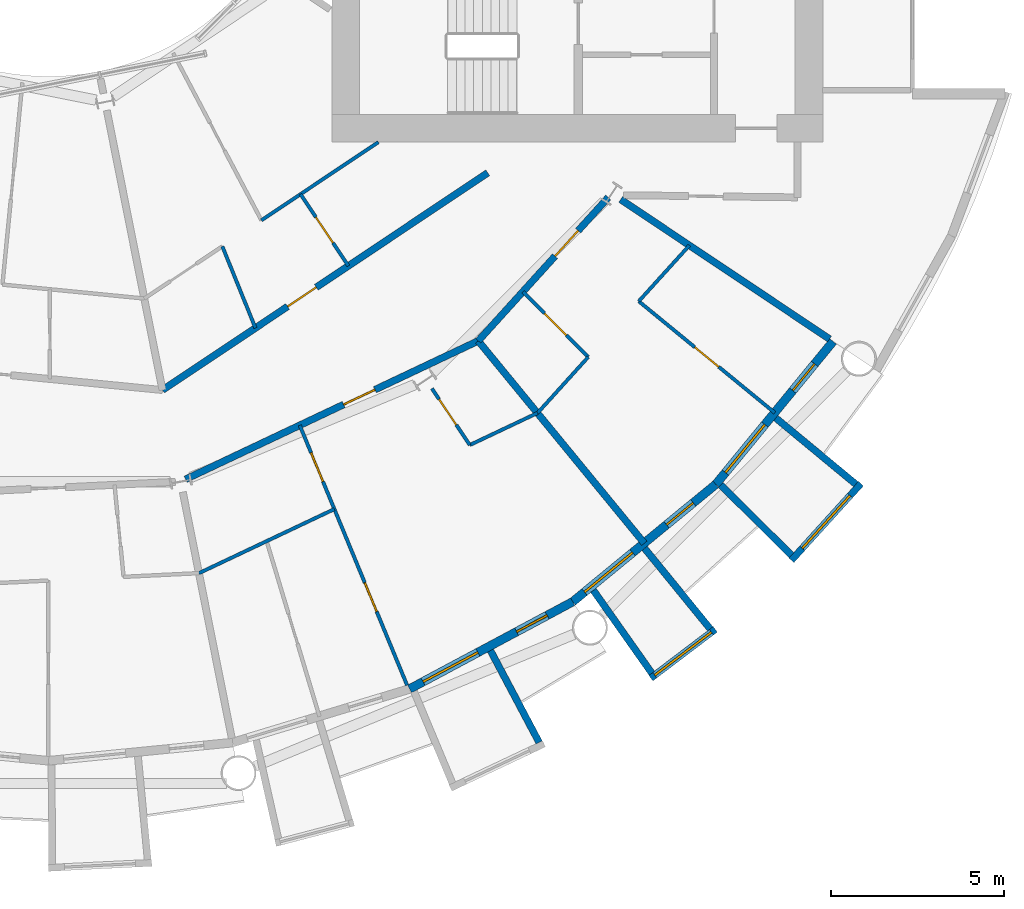
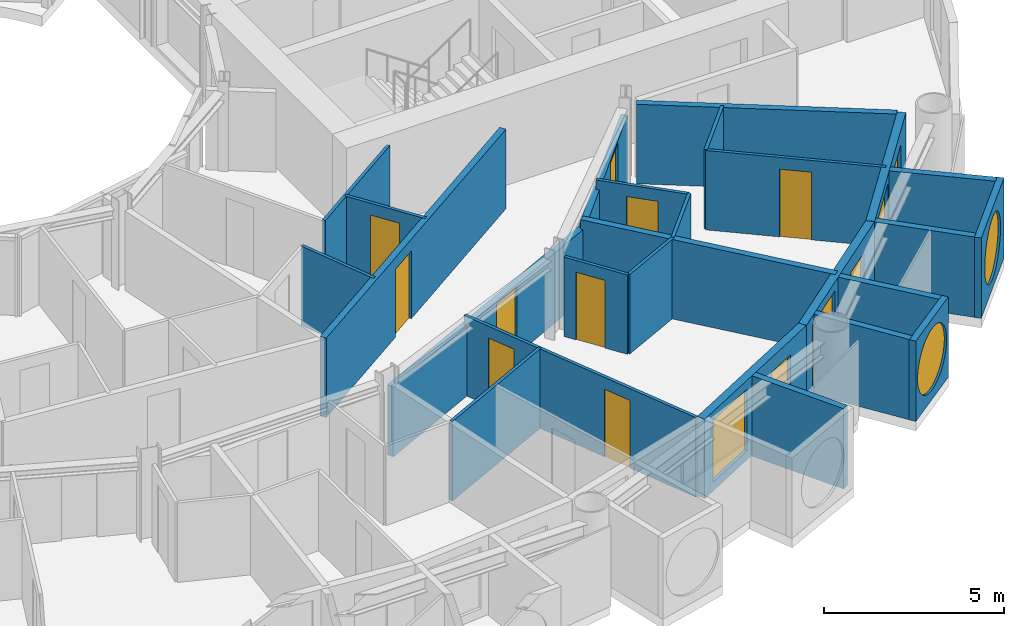
# One storey, part 16 of 26: 26 walls, 12 doors, 5 windows, 17 openings.
"""IFC4 building model written with IfcOpenShell, lengths in metres."""

from ifc_helpers import new_model, si_unit, direction, frame, frame_2d, origin, place, context, subcontext, project, spatial, rectangle, circle, extrude, material, layer, layer_set, type_object, element, fill, save


model = new_model("IFC4")

# Units and contexts
model_context = context("Model", 3, precision=1e-05, world=origin(), true_north=direction((0.0, 1.0)))
body_context = subcontext(model_context, "Body", "Model", "MODEL_VIEW")
ifc_project = project(units=[si_unit("LENGTHUNIT", "METRE"), si_unit("AREAUNIT", "SQUARE_METRE"), si_unit("VOLUMEUNIT", "CUBIC_METRE"), si_unit("PLANEANGLEUNIT", "RADIAN"), si_unit("MASSUNIT", "GRAM", prefix="KILO")], contexts=[model_context])

# Site, building, storey
site_placement = place(None, origin())
site = spatial("IfcSite", under=ifc_project, at=site_placement, CompositionType="ELEMENT")
building_placement = place(site_placement, origin())
building = spatial("IfcBuilding", under=site, at=building_placement, Name="Maasbend Ring Residences", CompositionType="ELEMENT")
storey_placement = place(building_placement, frame((0.0, 0.0, 22.800048828125)))
storey = spatial("IfcBuildingStorey", under=building, at=storey_placement, Name="L05", CompositionType="ELEMENT", Elevation=22.800048828125)

# Wall, opening, door
ifc_material_1 = material(Name="Concrete C30/37", Category="concrete")
ifc_layer_1 = layer(ifc_material_1, 0.199951171875)
ifc_layer_set_1 = layer_set([ifc_layer_1], Name="Concrete C30/37")
wall_type_1 = type_object("IfcWallType", Name="CORRIDOR WALL 200 CONCRETE", PredefinedType="PARTITIONING", material=ifc_layer_set_1)
wall_1_placement = place(storey_placement, frame((12.43408203125, -15.15087890625, 0.0), z_axis=(0.0, 0.0, 1.0), x_axis=(0.671514934772, 0.740991020444, 0.0)))
wall_1 = element("IfcWall", 1, at=wall_1_placement, inside=storey, type_object=wall_type_1, Name="U-L05-w014", PredefinedType="PARTITIONING", context=body_context, shape_type="SweptSolid", body=[
    extrude(rectangle(XDim=5.597900390625, YDim=0.199951171875, at=frame_2d((2.798828125, 0.0))), origin(), (0.0, 0.0, 1.0), 2.3798828125),
])
opening_1_placement = place(wall_1_placement, frame((3.304931640625, 0.0, 0.0)))
opening_1 = element("IfcOpeningElement", 2, at=opening_1_placement, cuts=wall_1, Name="Opening D-0550", PredefinedType="OPENING", context=body_context, shape_type="SweptSolid", body=[
    extrude(rectangle(XDim=1.0, YDim=2.300048828125, at=frame_2d((0.5, 1.14990234375))), frame((0.0, 0.10986328125, 0.0), z_axis=(0.0, -1.0, 0.0), x_axis=(1.0, 0.0, 0.0)), (0.0, 0.0, 1.0), 0.219970703125),
])
ifc_material_2 = material(Name="Timber, fire-rated, painted", Category="wood")
door_type_1 = type_object("IfcDoorType", Name="FLAT ENTRANCE DOOR 1000 X 2300 FIRE-RATED", OperationType="NOTDEFINED", PredefinedType="DOOR", material=ifc_material_2)
door_1_placement = place(opening_1_placement, origin())
door_1 = element("IfcDoor", 3, at=door_1_placement, inside=storey, type_object=door_type_1, Name="D-0550", OperationType="SINGLE_SWING_RIGHT", OverallHeight=2.300048828125, OverallWidth=1.0, PredefinedType="DOOR", context=body_context, shape_type="SweptSolid", body=[
    extrude(rectangle(XDim=1.0, YDim=2.300048828125, at=frame_2d((0.5, 1.14990234375))), frame((0.0, 0.02490234375, 0.0), z_axis=(0.0, -1.0, 0.0), x_axis=(1.0, 0.0, 0.0)), (0.0, 0.0, 1.0), 0.050048828125),
])
fill(opening_1, door_1)

wall_2_placement = place(storey_placement, frame((3.966064453125, -19.156005859375, 0.0), z_axis=(0.0, 0.0, 1.0), x_axis=(0.90398275529, 0.427568916244, 0.0)))
wall_2 = element("IfcWall", 4, at=wall_2_placement, inside=storey, type_object=wall_type_1, Name="U-L05-w017", PredefinedType="PARTITIONING", context=body_context, shape_type="SweptSolid", body=[
    extrude(rectangle(XDim=9.371826171875, YDim=0.199951171875, at=frame_2d((4.68603515625, 0.0))), origin(), (0.0, 0.0, 1.0), 2.3798828125),
])
opening_2_placement = place(wall_2_placement, frame((5.05810546875, 0.0, 0.0)))
opening_2 = element("IfcOpeningElement", 5, at=opening_2_placement, cuts=wall_2, Name="Opening D-0545", PredefinedType="OPENING", context=body_context, shape_type="SweptSolid", body=[
    extrude(rectangle(XDim=1.0, YDim=2.300048828125, at=frame_2d((0.5, 1.14990234375))), frame((0.0, 0.10986328125, 0.0), z_axis=(0.0, -1.0, 0.0), x_axis=(1.0, 0.0, 0.0)), (0.0, 0.0, 1.0), 0.219970703125),
])
door_2_placement = place(opening_2_placement, origin())
door_2 = element("IfcDoor", 6, at=door_2_placement, inside=storey, type_object=door_type_1, Name="D-0545", OperationType="SINGLE_SWING_RIGHT", OverallHeight=2.300048828125, OverallWidth=1.0, PredefinedType="DOOR", context=body_context, shape_type="SweptSolid", body=[
    extrude(rectangle(XDim=1.0, YDim=2.300048828125, at=frame_2d((0.5, 1.14990234375))), frame((0.0, 0.02490234375, 0.0), z_axis=(0.0, -1.0, 0.0), x_axis=(1.0, 0.0, 0.0)), (0.0, 0.0, 1.0), 0.050048828125),
])
fill(opening_2, door_2)

wall_3_placement = place(storey_placement, frame((3.297119140625, -16.574951171875, 0.0), z_axis=(0.0, 0.0, 1.0), x_axis=(0.83154870872, 0.55545183862, 0.0)))
wall_3 = element("IfcWall", 7, at=wall_3_placement, inside=storey, type_object=wall_type_1, Name="U-L05-w020", PredefinedType="PARTITIONING", context=body_context, shape_type="SweptSolid", body=[
    extrude(rectangle(XDim=11.31494140625, YDim=0.199951171875, at=frame_2d((5.657470703125, 0.0))), origin(), (0.0, 0.0, 1.0), 2.699951171875),
])
opening_3_placement = place(wall_3_placement, frame((4.35205078125, 0.0, 0.0)))
opening_3 = element("IfcOpeningElement", 8, at=opening_3_placement, cuts=wall_3, Name="Opening D-0561", PredefinedType="OPENING", context=body_context, shape_type="SweptSolid", body=[
    extrude(rectangle(XDim=1.0, YDim=2.300048828125, at=frame_2d((0.5, 1.14990234375))), frame((0.0, 0.10986328125, 0.0), z_axis=(0.0, -1.0, 0.0), x_axis=(1.0, 0.0, 0.0)), (0.0, 0.0, 1.0), 0.219970703125),
])
door_3_placement = place(opening_3_placement, origin())
door_3 = element("IfcDoor", 9, at=door_3_placement, inside=storey, type_object=door_type_1, Name="D-0561", OperationType="SINGLE_SWING_LEFT", OverallHeight=2.300048828125, OverallWidth=1.0, PredefinedType="DOOR", context=body_context, shape_type="SweptSolid", body=[
    extrude(rectangle(XDim=1.0, YDim=2.300048828125, at=frame_2d((0.5, 1.14990234375))), frame((0.0, 0.02490234375, 0.0), z_axis=(0.0, -1.0, 0.0), x_axis=(1.0, 0.0, 0.0)), (0.0, 0.0, 1.0), 0.050048828125),
])
fill(opening_3, door_3)

# Wall
ifc_material_3 = material(Name="Pale anodised aluminium panel", Category="aluminium")
ifc_layer_2 = layer(ifc_material_3, 0.199951171875)
ifc_layer_set_2 = layer_set([ifc_layer_2], Name="EW-BOX")
wall_type_2 = type_object("IfcWallType", Name="EW-BOX", PredefinedType="SOLIDWALL", material=ifc_layer_set_2)
wall_4_placement = place(storey_placement, frame((12.787109375, -24.113037109375, -0.030029296875), z_axis=(0.0, 0.0, 1.0), x_axis=(0.468365282436, -0.883534924159, 0.0)))
element("IfcWall", 10, at=wall_4_placement, inside=storey, type_object=wall_type_2, Name="Box side wall S15 right", PredefinedType="SOLIDWALL", context=body_context, shape_type="SweptSolid", body=[
    extrude(rectangle(XDim=3.006103515625, YDim=0.199951171875, at=frame_2d((1.5029296875, 0.0))), origin(), (0.0, 0.0, 1.0), 2.72998046875),
])

# Wall, opening, window
wall_5_placement = place(storey_placement, frame((17.427001953125, -24.908935546875, -0.030029296875), z_axis=(0.0, 0.0, 1.0), x_axis=(0.796842165306, 0.60418752353, 0.0)))
wall_5 = element("IfcWall", 11, at=wall_5_placement, inside=storey, type_object=wall_type_2, Name="Box front S17", PredefinedType="SOLIDWALL", context=body_context, shape_type="SweptSolid", body=[
    extrude(rectangle(XDim=2.3369140625, YDim=0.199951171875, at=frame_2d((1.16845703125, 0.0))), origin(), (0.0, 0.0, 1.0), 2.72998046875),
])
opening_4_placement = place(wall_5_placement, frame((0.128173828125, 0.0, 0.330078125)))
opening_4 = element("IfcOpeningElement", 12, at=opening_4_placement, cuts=wall_5, Name="Opening W-RD", PredefinedType="OPENING", context=body_context, shape_type="SweptSolid", body=[
    extrude(circle(Radius=1.0400390625, at=frame_2d((1.0400390625, 1.0400390625))), frame((0.0, 0.10986328125, 0.0), z_axis=(0.0, -1.0, 0.0), x_axis=(1.0, 0.0, 0.0)), (0.0, 0.0, 1.0), 0.219970703125),
])
ifc_material_4 = material(Name="Aluminium and clear glass", Category="aluminium")
window_type_1 = type_object("IfcWindowType", Name="W-RD", PartitioningType="SINGLE_PANEL", PredefinedType="WINDOW", material=ifc_material_4)
window_1_placement = place(opening_4_placement, origin())
window_1 = element("IfcWindow", 13, at=window_1_placement, inside=storey, type_object=window_type_1, Name="Round window S17", OverallHeight=2.080078125, OverallWidth=2.080078125, PartitioningType="SINGLE_PANEL", PredefinedType="WINDOW", context=body_context, shape_type="SweptSolid", body=[
    extrude(circle(Radius=1.0400390625, at=frame_2d((1.0400390625, 1.0400390625))), frame((0.0, 0.030029296875, 0.0), z_axis=(0.0, -1.0, 0.0), x_axis=(1.0, 0.0, 0.0)), (0.0, 0.0, 1.0), 0.06005859375),
])
fill(opening_4, window_1)

# Walls
wall_6_placement = place(storey_placement, frame((15.764892578125, -22.3701171875, -0.030029296875), z_axis=(0.0, 0.0, 1.0), x_axis=(0.576274612209, -0.817256123454, 0.0)))
element("IfcWall", 14, at=wall_6_placement, inside=storey, type_object=wall_type_2, Name="Box side wall S17 left", PredefinedType="SOLIDWALL", context=body_context, shape_type="SweptSolid", body=[
    extrude(rectangle(XDim=2.932861328125, YDim=0.199951171875, at=frame_2d((1.46630859375, 0.0))), origin(), (0.0, 0.0, 1.0), 2.72998046875),
])
wall_7_placement = place(storey_placement, frame((17.24609375, -21.155029296875, -0.030029296875), z_axis=(0.0, 0.0, 1.0), x_axis=(0.631741648902, -0.775179004516, 0.0)))
element("IfcWall", 15, at=wall_7_placement, inside=storey, type_object=wall_type_2, Name="Box side wall S17 right", PredefinedType="SOLIDWALL", context=body_context, shape_type="SweptSolid", body=[
    extrude(rectangle(XDim=3.005859375, YDim=0.199951171875, at=frame_2d((1.5029296875, 0.0))), origin(), (0.0, 0.0, 1.0), 2.72998046875),
])

# Wall, opening, window
wall_8_placement = place(storey_placement, frame((21.492919921875, -21.5, -0.030029296875), z_axis=(0.0, 0.0, 1.0), x_axis=(0.671506829416, 0.740998365753, 0.0)))
wall_8 = element("IfcWall", 16, at=wall_8_placement, inside=storey, type_object=wall_type_2, Name="Box front S19", PredefinedType="SOLIDWALL", context=body_context, shape_type="SweptSolid", body=[
    extrude(rectangle(XDim=2.9931640625, YDim=0.199951171875, at=frame_2d((1.49658203125, 0.0))), origin(), (0.0, 0.0, 1.0), 2.72998046875),
])
opening_5_placement = place(wall_8_placement, frame((0.45654296875, 0.0, 0.330078125)))
opening_5 = element("IfcOpeningElement", 17, at=opening_5_placement, cuts=wall_8, Name="Opening W-RD", PredefinedType="OPENING", context=body_context, shape_type="SweptSolid", body=[
    extrude(circle(Radius=1.0400390625, at=frame_2d((1.0400390625, 1.0400390625))), frame((0.0, 0.10986328125, 0.0), z_axis=(0.0, -1.0, 0.0), x_axis=(1.0, 0.0, 0.0)), (0.0, 0.0, 1.0), 0.219970703125),
])
window_2_placement = place(opening_5_placement, origin())
window_2 = element("IfcWindow", 18, at=window_2_placement, inside=storey, type_object=window_type_1, Name="Round window S19", OverallHeight=2.080078125, OverallWidth=2.080078125, PartitioningType="SINGLE_PANEL", PredefinedType="WINDOW", context=body_context, shape_type="SweptSolid", body=[
    extrude(circle(Radius=1.0400390625, at=frame_2d((1.0400390625, 1.0400390625))), frame((0.0, 0.030029296875, 0.0), z_axis=(0.0, -1.0, 0.0), x_axis=(1.0, 0.0, 0.0)), (0.0, 0.0, 1.0), 0.06005859375),
])
fill(opening_5, window_2)

# Walls
wall_9_placement = place(storey_placement, frame((19.449951171875, -19.322998046875, -0.030029296875), z_axis=(0.0, 0.0, 1.0), x_axis=(0.709727076896, -0.704476739375, 0.0)))
element("IfcWall", 19, at=wall_9_placement, inside=storey, type_object=wall_type_2, Name="Box side wall S19 left", PredefinedType="SOLIDWALL", context=body_context, shape_type="SweptSolid", body=[
    extrude(rectangle(XDim=2.883056640625, YDim=0.199951171875, at=frame_2d((1.44140625, 0.0))), origin(), (0.0, 0.0, 1.0), 2.72998046875),
])
wall_10_placement = place(storey_placement, frame((21.041015625, -17.384033203125, -0.030029296875), z_axis=(0.0, 0.0, 1.0), x_axis=(0.770784861449, -0.63709551667, 0.0)))
element("IfcWall", 20, at=wall_10_placement, inside=storey, type_object=wall_type_2, Name="Box side wall S19 right", PredefinedType="SOLIDWALL", context=body_context, shape_type="SweptSolid", body=[
    extrude(rectangle(XDim=3.005859375, YDim=0.199951171875, at=frame_2d((1.5029296875, 0.0))), origin(), (0.0, 0.0, 1.0), 2.72998046875),
])

# Wall, openings, door, window
ifc_material_5 = material(Name="Aluminium clad insulated panel", Category="aluminium")
ifc_layer_3 = layer(ifc_material_5, 0.25)
ifc_layer_set_3 = layer_set([ifc_layer_3], Name="EW-GL")
wall_type_3 = type_object("IfcWallType", Name="EW-GL", PredefinedType="SOLIDWALL", material=ifc_layer_set_3)
wall_11_placement = place(storey_placement, frame((10.447021484375, -25.221923828125, 0.0), z_axis=(0.0, 0.0, 1.0), x_axis=(0.881915646801, 0.471407246368, 0.0)))
wall_11 = element("IfcWall", 21, at=wall_11_placement, inside=storey, type_object=wall_type_3, Name="External wall S08", PredefinedType="SOLIDWALL", context=body_context, shape_type="SweptSolid", body=[
    extrude(rectangle(XDim=5.35205078125, YDim=0.25, at=frame_2d((2.676025390625, 0.0))), origin(), (0.0, 0.0, 1.0), 2.699951171875),
])
opening_6_placement = place(wall_11_placement, frame((0.441162109375, 0.0, 0.300048828125)))
opening_6 = element("IfcOpeningElement", 22, at=opening_6_placement, cuts=wall_11, Name="Opening W-BX", PredefinedType="OPENING", context=body_context, shape_type="SweptSolid", body=[
    extrude(rectangle(XDim=1.800048828125, YDim=2.10009765625, at=frame_2d((0.89990234375, 1.050048828125))), frame((0.0, 0.135009765625, 0.0), z_axis=(0.0, -1.0, 0.0), x_axis=(1.0, 0.0, 0.0)), (0.0, 0.0, 1.0), 0.27001953125),
])
opening_7_placement = place(wall_11_placement, frame((3.510498046875, 0.0, 0.0)))
opening_7 = element("IfcOpeningElement", 23, at=opening_7_placement, cuts=wall_11, Name="Opening D-LG", PredefinedType="OPENING", context=body_context, shape_type="SweptSolid", body=[
    extrude(rectangle(XDim=1.0, YDim=2.199951171875, at=frame_2d((0.5, 1.10009765625))), frame((0.0, 0.135009765625, 0.0), z_axis=(0.0, -1.0, 0.0), x_axis=(1.0, 0.0, 0.0)), (0.0, 0.0, 1.0), 0.27001953125),
])
ifc_material_6 = material(Name="Aluminium and clear glass", Category="aluminium")
door_type_2 = type_object("IfcDoorType", Name="D-LG", OperationType="SINGLE_SWING_LEFT", PredefinedType="DOOR", material=ifc_material_6)
door_4_placement = place(opening_7_placement, origin())
door_4 = element("IfcDoor", 24, at=door_4_placement, inside=storey, type_object=door_type_2, Name="Loggia door S16", OperationType="SINGLE_SWING_LEFT", OverallHeight=2.199951171875, OverallWidth=1.0, PredefinedType="DOOR", context=body_context, shape_type="SweptSolid", body=[
    extrude(rectangle(XDim=1.0, YDim=2.199951171875, at=frame_2d((0.5, 1.10009765625))), frame((0.0, 0.02490234375, 0.0), z_axis=(0.0, -1.0, 0.0), x_axis=(1.0, 0.0, 0.0)), (0.0, 0.0, 1.0), 0.050048828125),
])
fill(opening_7, door_4)
ifc_material_7 = material(Name="Aluminium and clear glass", Category="aluminium")
window_type_2 = type_object("IfcWindowType", Name="W-BX", PartitioningType="DOUBLE_PANEL_VERTICAL", PredefinedType="WINDOW", material=ifc_material_7)
window_3_placement = place(opening_6_placement, origin())
window_3 = element("IfcWindow", 25, at=window_3_placement, inside=storey, type_object=window_type_2, Name="Window S15 room to box", OverallHeight=2.10009765625, OverallWidth=1.800048828125, PartitioningType="SINGLE_PANEL", PredefinedType="WINDOW", context=body_context, shape_type="SweptSolid", body=[
    extrude(rectangle(XDim=1.800048828125, YDim=2.10009765625, at=frame_2d((0.89990234375, 1.050048828125))), frame((0.0, 0.030029296875, 0.0), z_axis=(0.0, -1.0, 0.0), x_axis=(1.0, 0.0, 0.0)), (0.0, 0.0, 1.0), 0.06005859375),
])
fill(opening_6, window_3)

wall_12_placement = place(storey_placement, frame((15.1669921875, -22.698974609375, 0.0), z_axis=(0.0, 0.0, 1.0), x_axis=(0.773019449054, 0.634382322723, 0.0)))
wall_12 = element("IfcWall", 26, at=wall_12_placement, inside=storey, type_object=wall_type_3, Name="External wall S09", PredefinedType="SOLIDWALL", context=body_context, shape_type="SweptSolid", body=[
    extrude(rectangle(XDim=5.351806640625, YDim=0.25, at=frame_2d((2.67578125, 0.0))), origin(), (0.0, 0.0, 1.0), 2.699951171875),
])
opening_8_placement = place(wall_12_placement, frame((0.441162109375, 0.0, 0.300048828125)))
opening_8 = element("IfcOpeningElement", 27, at=opening_8_placement, cuts=wall_12, Name="Opening W-BX", PredefinedType="OPENING", context=body_context, shape_type="SweptSolid", body=[
    extrude(rectangle(XDim=1.800048828125, YDim=2.10009765625, at=frame_2d((0.89990234375, 1.050048828125))), frame((0.0, 0.135009765625, 0.0), z_axis=(0.0, -1.0, 0.0), x_axis=(1.0, 0.0, 0.0)), (0.0, 0.0, 1.0), 0.27001953125),
])
opening_9_placement = place(wall_12_placement, frame((3.510498046875, 0.0, 0.0)))
opening_9 = element("IfcOpeningElement", 28, at=opening_9_placement, cuts=wall_12, Name="Opening D-LG", PredefinedType="OPENING", context=body_context, shape_type="SweptSolid", body=[
    extrude(rectangle(XDim=1.0, YDim=2.199951171875, at=frame_2d((0.5, 1.10009765625))), frame((0.0, 0.135009765625, 0.0), z_axis=(0.0, -1.0, 0.0), x_axis=(1.0, 0.0, 0.0)), (0.0, 0.0, 1.0), 0.27001953125),
])
door_5_placement = place(opening_9_placement, origin())
door_5 = element("IfcDoor", 29, at=door_5_placement, inside=storey, type_object=door_type_2, Name="Loggia door S18", OperationType="SINGLE_SWING_LEFT", OverallHeight=2.199951171875, OverallWidth=1.0, PredefinedType="DOOR", context=body_context, shape_type="SweptSolid", body=[
    extrude(rectangle(XDim=1.0, YDim=2.199951171875, at=frame_2d((0.5, 1.10009765625))), frame((0.0, 0.02490234375, 0.0), z_axis=(0.0, -1.0, 0.0), x_axis=(1.0, 0.0, 0.0)), (0.0, 0.0, 1.0), 0.050048828125),
])
fill(opening_9, door_5)
window_4_placement = place(opening_8_placement, origin())
window_4 = element("IfcWindow", 30, at=window_4_placement, inside=storey, type_object=window_type_2, Name="Window S17 room to box", OverallHeight=2.10009765625, OverallWidth=1.800048828125, PartitioningType="SINGLE_PANEL", PredefinedType="WINDOW", context=body_context, shape_type="SweptSolid", body=[
    extrude(rectangle(XDim=1.800048828125, YDim=2.10009765625, at=frame_2d((0.89990234375, 1.050048828125))), frame((0.0, 0.030029296875, 0.0), z_axis=(0.0, -1.0, 0.0), x_axis=(1.0, 0.0, 0.0)), (0.0, 0.0, 1.0), 0.06005859375),
])
fill(opening_8, window_4)

wall_13_placement = place(storey_placement, frame((19.303955078125, -19.303955078125, 0.0), z_axis=(0.0, 0.0, 1.0), x_axis=(0.634382322723, 0.773019449054, 0.0)))
wall_13 = element("IfcWall", 31, at=wall_13_placement, inside=storey, type_object=wall_type_3, Name="External wall S10", PredefinedType="SOLIDWALL", context=body_context, shape_type="SweptSolid", body=[
    extrude(rectangle(XDim=5.351806640625, YDim=0.25, at=frame_2d((2.67578125, 0.0))), origin(), (0.0, 0.0, 1.0), 2.699951171875),
])
opening_10_placement = place(wall_13_placement, frame((0.441162109375, 0.0, 0.300048828125)))
opening_10 = element("IfcOpeningElement", 32, at=opening_10_placement, cuts=wall_13, Name="Opening W-BX", PredefinedType="OPENING", context=body_context, shape_type="SweptSolid", body=[
    extrude(rectangle(XDim=1.800048828125, YDim=2.10009765625, at=frame_2d((0.89990234375, 1.050048828125))), frame((0.0, 0.135009765625, 0.0), z_axis=(0.0, -1.0, 0.0), x_axis=(1.0, 0.0, 0.0)), (0.0, 0.0, 1.0), 0.27001953125),
])
opening_11_placement = place(wall_13_placement, frame((3.510498046875, 0.0, 0.0)))
opening_11 = element("IfcOpeningElement", 33, at=opening_11_placement, cuts=wall_13, Name="Opening D-LG", PredefinedType="OPENING", context=body_context, shape_type="SweptSolid", body=[
    extrude(rectangle(XDim=1.0, YDim=2.199951171875, at=frame_2d((0.5, 1.10009765625))), frame((0.0, 0.135009765625, 0.0), z_axis=(0.0, -1.0, 0.0), x_axis=(1.0, 0.0, 0.0)), (0.0, 0.0, 1.0), 0.27001953125),
])
door_6_placement = place(opening_11_placement, origin())
door_6 = element("IfcDoor", 34, at=door_6_placement, inside=storey, type_object=door_type_2, Name="Loggia door S20", OperationType="SINGLE_SWING_LEFT", OverallHeight=2.199951171875, OverallWidth=1.0, PredefinedType="DOOR", context=body_context, shape_type="SweptSolid", body=[
    extrude(rectangle(XDim=1.0, YDim=2.199951171875, at=frame_2d((0.5, 1.10009765625))), frame((0.0, 0.02490234375, 0.0), z_axis=(0.0, -1.0, 0.0), x_axis=(1.0, 0.0, 0.0)), (0.0, 0.0, 1.0), 0.050048828125),
])
fill(opening_11, door_6)
window_5_placement = place(opening_10_placement, origin())
window_5 = element("IfcWindow", 35, at=window_5_placement, inside=storey, type_object=window_type_2, Name="Window S19 room to box", OverallHeight=2.10009765625, OverallWidth=1.800048828125, PartitioningType="SINGLE_PANEL", PredefinedType="WINDOW", context=body_context, shape_type="SweptSolid", body=[
    extrude(rectangle(XDim=1.800048828125, YDim=2.10009765625, at=frame_2d((0.89990234375, 1.050048828125))), frame((0.0, 0.030029296875, 0.0), z_axis=(0.0, -1.0, 0.0), x_axis=(1.0, 0.0, 0.0)), (0.0, 0.0, 1.0), 0.06005859375),
])
fill(opening_10, window_5)

# Walls
ifc_material_8 = material(Name="Gypsum board on steel studs", Category="steel")
ifc_layer_4 = layer(ifc_material_8, 0.10009765625)
ifc_layer_set_4 = layer_set([ifc_layer_4], Name="PARTITION 100 GYPSUM")
wall_type_4 = type_object("IfcWallType", Name="PARTITION 100 GYPSUM", PredefinedType="PARTITIONING", material=ifc_layer_set_4)
wall_14_placement = place(storey_placement, frame((14.153076171875, -17.23388671875, 0.0), z_axis=(0.0, 0.0, 1.0), x_axis=(0.671144831591, 0.741326254107, 0.0)))
element("IfcWall", 36, at=wall_14_placement, inside=storey, type_object=wall_type_4, Name="U-L05-w003", PredefinedType="PARTITIONING", context=body_context, shape_type="SweptSolid", body=[
    extrude(rectangle(XDim=2.18115234375, YDim=0.10009765625, at=frame_2d((1.090576171875, 0.0))), origin(), (0.0, 0.0, 1.0), 2.699951171875),
])
wall_15_placement = place(storey_placement, frame((17.076904296875, -14.006103515625, 0.0), z_axis=(0.0, 0.0, 1.0), x_axis=(0.671396556615, 0.741098282123, 0.0)))
element("IfcWall", 37, at=wall_15_placement, inside=storey, type_object=wall_type_4, Name="U-L05-w004", PredefinedType="PARTITIONING", context=body_context, shape_type="SweptSolid", body=[
    extrude(rectangle(XDim=2.18212890625, YDim=0.10009765625, at=frame_2d((1.091064453125, 0.0))), origin(), (0.0, 0.0, 1.0), 2.699951171875),
])
wall_16_placement = place(storey_placement, frame((4.35205078125, -21.873046875, 0.0), z_axis=(0.0, 0.0, 1.0), x_axis=(0.903905215872, 0.427732814639, 0.0)))
element("IfcWall", 38, at=wall_16_placement, inside=storey, type_object=wall_type_4, Name="U-L05-w011", PredefinedType="PARTITIONING", context=body_context, shape_type="SweptSolid", body=[
    extrude(rectangle(XDim=4.33447265625, YDim=0.10009765625, at=frame_2d((2.167236328125, 0.0))), origin(), (0.0, 0.0, 1.0), 2.699951171875),
])
wall_17_placement = place(storey_placement, frame((12.18798828125, -18.1650390625, 0.0), z_axis=(0.0, 0.0, 1.0), x_axis=(0.903905215872, 0.427732814639, 0.0)))
element("IfcWall", 39, at=wall_17_placement, inside=storey, type_object=wall_type_4, Name="U-L05-w012", PredefinedType="PARTITIONING", context=body_context, shape_type="SweptSolid", body=[
    extrude(rectangle(XDim=2.167236328125, YDim=0.10009765625, at=frame_2d((1.08349609375, 0.0))), origin(), (0.0, 0.0, 1.0), 2.699951171875),
])
wall_18_placement = place(storey_placement, frame((6.157958984375, -11.6640625, 0.0), z_axis=(0.0, 0.0, 1.0), x_axis=(0.831459707426, 0.555585056429, 0.0)))
element("IfcWall", 40, at=wall_18_placement, inside=storey, type_object=wall_type_4, Name="U-L05-w026", PredefinedType="PARTITIONING", context=body_context, shape_type="SweptSolid", body=[
    extrude(rectangle(XDim=4.073486328125, YDim=0.10009765625, at=frame_2d((2.03662109375, 0.0))), origin(), (0.0, 0.0, 1.0), 2.699951171875),
])
wall_19_placement = place(storey_placement, frame((5.029052734375, -12.41796875, 0.0), z_axis=(0.0, 0.0, 1.0), x_axis=(0.375649498413, -0.926761811008, 0.0)))
element("IfcWall", 41, at=wall_19_placement, inside=storey, type_object=wall_type_4, Name="U-L05-w077", PredefinedType="PARTITIONING", context=body_context, shape_type="SweptSolid", body=[
    extrude(rectangle(XDim=2.547607421875, YDim=0.10009765625, at=frame_2d((1.27392578125, 0.0))), origin(), (0.0, 0.0, 1.0), 2.699951171875),
])

# Wall, openings, doors
wall_20_placement = place(storey_placement, frame((7.26806640625, -17.593994140625, 0.0), z_axis=(0.0, 0.0, 1.0), x_axis=(0.381763497026, -0.924260045841, 0.0)))
wall_20 = element("IfcWall", 42, at=wall_20_placement, inside=storey, type_object=wall_type_4, Name="U-L05-w080", PredefinedType="PARTITIONING", context=body_context, shape_type="SweptSolid", body=[
    extrude(rectangle(XDim=8.138427734375, YDim=0.10009765625, at=frame_2d((4.0693359375, 0.0))), origin(), (0.0, 0.0, 1.0), 2.699951171875),
])
opening_12_placement = place(wall_20_placement, frame((0.861083984375, 0.0, 0.0)))
opening_12 = element("IfcOpeningElement", 43, at=opening_12_placement, cuts=wall_20, Name="Opening D-0547", PredefinedType="OPENING", context=body_context, shape_type="SweptSolid", body=[
    extrude(rectangle(XDim=0.89990234375, YDim=2.300048828125, at=frame_2d((0.449951171875, 1.14990234375))), frame((0.0, 0.06005859375, 0.0), z_axis=(0.0, -1.0, 0.0), x_axis=(1.0, 0.0, 0.0)), (0.0, 0.0, 1.0), 0.1201171875),
])
opening_13_placement = place(wall_20_placement, frame((4.929931640625, 0.0, 0.0)))
opening_13 = element("IfcOpeningElement", 44, at=opening_13_placement, cuts=wall_20, Name="Opening D-0548", PredefinedType="OPENING", context=body_context, shape_type="SweptSolid", body=[
    extrude(rectangle(XDim=0.89990234375, YDim=2.300048828125, at=frame_2d((0.449951171875, 1.14990234375))), frame((0.0, 0.06005859375, 0.0), z_axis=(0.0, -1.0, 0.0), x_axis=(1.0, 0.0, 0.0)), (0.0, 0.0, 1.0), 0.1201171875),
])
ifc_material_9 = material(Name="Timber, painted", Category="wood")
door_type_3 = type_object("IfcDoorType", Name="INTERNAL DOOR 900 X 2300", OperationType="NOTDEFINED", PredefinedType="DOOR", material=ifc_material_9)
door_7_placement = place(opening_12_placement, origin())
door_7 = element("IfcDoor", 45, at=door_7_placement, inside=storey, type_object=door_type_3, Name="D-0547", OperationType="SINGLE_SWING_LEFT", OverallHeight=2.300048828125, OverallWidth=0.89990234375, PredefinedType="DOOR", context=body_context, shape_type="SweptSolid", body=[
    extrude(rectangle(XDim=0.89990234375, YDim=2.300048828125, at=frame_2d((0.449951171875, 1.14990234375))), frame((0.0, 0.02490234375, 0.0), z_axis=(0.0, -1.0, 0.0), x_axis=(1.0, 0.0, 0.0)), (0.0, 0.0, 1.0), 0.050048828125),
])
fill(opening_12, door_7)
door_8_placement = place(opening_13_placement, origin())
door_8 = element("IfcDoor", 46, at=door_8_placement, inside=storey, type_object=door_type_3, Name="D-0548", OperationType="SINGLE_SWING_RIGHT", OverallHeight=2.300048828125, OverallWidth=0.89990234375, PredefinedType="DOOR", context=body_context, shape_type="SweptSolid", body=[
    extrude(rectangle(XDim=0.89990234375, YDim=2.300048828125, at=frame_2d((0.449951171875, 1.14990234375))), frame((0.0, 0.02490234375, 0.0), z_axis=(0.0, -1.0, 0.0), x_axis=(1.0, 0.0, 0.0)), (0.0, 0.0, 1.0), 0.050048828125),
])
fill(opening_13, door_8)

# Wall, opening, door
wall_21_placement = place(storey_placement, frame((7.2890625, -10.907958984375, 0.0), z_axis=(0.0, 0.0, 1.0), x_axis=(0.555625883274, -0.831432425297, 0.0)))
wall_21 = element("IfcWall", 47, at=wall_21_placement, inside=storey, type_object=wall_type_4, Name="U-L05-w081", PredefinedType="PARTITIONING", context=body_context, shape_type="SweptSolid", body=[
    extrude(rectangle(XDim=2.494384765625, YDim=0.10009765625, at=frame_2d((1.2470703125, 0.0))), origin(), (0.0, 0.0, 1.0), 2.699951171875),
])
opening_14_placement = place(wall_21_placement, frame((0.797119140625, 0.0, 0.0)))
opening_14 = element("IfcOpeningElement", 48, at=opening_14_placement, cuts=wall_21, Name="Opening D-0563", PredefinedType="OPENING", context=body_context, shape_type="SweptSolid", body=[
    extrude(rectangle(XDim=0.89990234375, YDim=2.300048828125, at=frame_2d((0.449951171875, 1.14990234375))), frame((0.0, 0.06005859375, 0.0), z_axis=(0.0, -1.0, 0.0), x_axis=(1.0, 0.0, 0.0)), (0.0, 0.0, 1.0), 0.1201171875),
])
door_9_placement = place(opening_14_placement, origin())
door_9 = element("IfcDoor", 49, at=door_9_placement, inside=storey, type_object=door_type_3, Name="D-0563", OperationType="SINGLE_SWING_LEFT", OverallHeight=2.300048828125, OverallWidth=0.89990234375, PredefinedType="DOOR", context=body_context, shape_type="SweptSolid", body=[
    extrude(rectangle(XDim=0.89990234375, YDim=2.300048828125, at=frame_2d((0.449951171875, 1.14990234375))), frame((0.0, 0.02490234375, 0.0), z_axis=(0.0, -1.0, 0.0), x_axis=(1.0, 0.0, 0.0)), (0.0, 0.0, 1.0), 0.050048828125),
])
fill(opening_14, door_9)

wall_22_placement = place(storey_placement, frame((11.093017578125, -16.532958984375, 0.0), z_axis=(0.0, 0.0, 1.0), x_axis=(0.557134474719, -0.830422288405, 0.0)))
wall_22 = element("IfcWall", 50, at=wall_22_placement, inside=storey, type_object=wall_type_4, Name="U-L05-w085", PredefinedType="PARTITIONING", context=body_context, shape_type="SweptSolid", body=[
    extrude(rectangle(XDim=1.96533203125, YDim=0.10009765625, at=frame_2d((0.982666015625, 0.0))), origin(), (0.0, 0.0, 1.0), 2.699951171875),
])
opening_15_placement = place(wall_22_placement, frame((0.365966796875, 0.0, 0.0)))
opening_15 = element("IfcOpeningElement", 51, at=opening_15_placement, cuts=wall_22, Name="Opening D-0546", PredefinedType="OPENING", context=body_context, shape_type="SweptSolid", body=[
    extrude(rectangle(XDim=0.89990234375, YDim=2.300048828125, at=frame_2d((0.449951171875, 1.14990234375))), frame((0.0, 0.06005859375, 0.0), z_axis=(0.0, -1.0, 0.0), x_axis=(1.0, 0.0, 0.0)), (0.0, 0.0, 1.0), 0.1201171875),
])
door_10_placement = place(opening_15_placement, origin())
door_10 = element("IfcDoor", 52, at=door_10_placement, inside=storey, type_object=door_type_3, Name="D-0546", OperationType="SINGLE_SWING_LEFT", OverallHeight=2.300048828125, OverallWidth=0.89990234375, PredefinedType="DOOR", context=body_context, shape_type="SweptSolid", body=[
    extrude(rectangle(XDim=0.89990234375, YDim=2.300048828125, at=frame_2d((0.449951171875, 1.14990234375))), frame((0.0, 0.02490234375, 0.0), z_axis=(0.0, -1.0, 0.0), x_axis=(1.0, 0.0, 0.0)), (0.0, 0.0, 1.0), 0.050048828125),
])
fill(opening_15, door_10)

wall_23_placement = place(storey_placement, frame((13.722900390625, -13.72900390625, 0.0), z_axis=(0.0, 0.0, 1.0), x_axis=(0.706741540154, -0.707471833659, 0.0)))
wall_23 = element("IfcWall", 53, at=wall_23_placement, inside=storey, type_object=wall_type_4, Name="U-L05-w089", PredefinedType="PARTITIONING", context=body_context, shape_type="SweptSolid", body=[
    extrude(rectangle(XDim=2.67431640625, YDim=0.10009765625, at=frame_2d((1.337158203125, 0.0))), origin(), (0.0, 0.0, 1.0), 2.699951171875),
])
opening_16_placement = place(wall_23_placement, frame((0.886962890625, 0.0, 0.0)))
opening_16 = element("IfcOpeningElement", 54, at=opening_16_placement, cuts=wall_23, Name="Opening D-0551", PredefinedType="OPENING", context=body_context, shape_type="SweptSolid", body=[
    extrude(rectangle(XDim=0.89990234375, YDim=2.300048828125, at=frame_2d((0.449951171875, 1.14990234375))), frame((0.0, 0.06005859375, 0.0), z_axis=(0.0, -1.0, 0.0), x_axis=(1.0, 0.0, 0.0)), (0.0, 0.0, 1.0), 0.1201171875),
])
door_11_placement = place(opening_16_placement, origin())
door_11 = element("IfcDoor", 55, at=door_11_placement, inside=storey, type_object=door_type_3, Name="D-0551", OperationType="SINGLE_SWING_RIGHT", OverallHeight=2.300048828125, OverallWidth=0.89990234375, PredefinedType="DOOR", context=body_context, shape_type="SweptSolid", body=[
    extrude(rectangle(XDim=0.89990234375, YDim=2.300048828125, at=frame_2d((0.449951171875, 1.14990234375))), frame((0.0, 0.02490234375, 0.0), z_axis=(0.0, -1.0, 0.0), x_axis=(1.0, 0.0, 0.0)), (0.0, 0.0, 1.0), 0.050048828125),
])
fill(opening_16, door_11)

wall_24_placement = place(storey_placement, frame((17.076904296875, -14.006103515625, 0.0), z_axis=(0.0, 0.0, 1.0), x_axis=(0.77326214499, -0.634086472908, 0.0)))
wall_24 = element("IfcWall", 56, at=wall_24_placement, inside=storey, type_object=wall_type_4, Name="U-L05-w093", PredefinedType="PARTITIONING", context=body_context, shape_type="SweptSolid", body=[
    extrude(rectangle(XDim=5.0888671875, YDim=0.10009765625, at=frame_2d((2.54443359375, 0.0))), origin(), (0.0, 0.0, 1.0), 2.699951171875),
])
opening_17_placement = place(wall_24_placement, frame((2.093994140625, 0.0, 0.0)))
opening_17 = element("IfcOpeningElement", 57, at=opening_17_placement, cuts=wall_24, Name="Opening D-0552", PredefinedType="OPENING", context=body_context, shape_type="SweptSolid", body=[
    extrude(rectangle(XDim=0.89990234375, YDim=2.300048828125, at=frame_2d((0.449951171875, 1.14990234375))), frame((0.0, 0.06005859375, 0.0), z_axis=(0.0, -1.0, 0.0), x_axis=(1.0, 0.0, 0.0)), (0.0, 0.0, 1.0), 0.1201171875),
])
door_12_placement = place(opening_17_placement, origin())
door_12 = element("IfcDoor", 58, at=door_12_placement, inside=storey, type_object=door_type_3, Name="D-0552", OperationType="SINGLE_SWING_LEFT", OverallHeight=2.300048828125, OverallWidth=0.89990234375, PredefinedType="DOOR", context=body_context, shape_type="SweptSolid", body=[
    extrude(rectangle(XDim=0.89990234375, YDim=2.300048828125, at=frame_2d((0.449951171875, 1.14990234375))), frame((0.0, 0.02490234375, 0.0), z_axis=(0.0, -1.0, 0.0), x_axis=(1.0, 0.0, 0.0)), (0.0, 0.0, 1.0), 0.050048828125),
])
fill(opening_17, door_12)

# Walls
ifc_material_10 = material(Name="Concrete C30/37", Category="concrete")
ifc_layer_5 = layer(ifc_material_10, 0.199951171875)
ifc_layer_set_5 = layer_set([ifc_layer_5], Name="Concrete C30/37")
wall_type_5 = type_object("IfcWallType", Name="PARTY WALL 200 CONCRETE", PredefinedType="PARTITIONING", material=ifc_layer_set_5)
wall_25_placement = place(storey_placement, frame((12.431884765625, -15.152099609375, 0.0), z_axis=(0.0, 0.0, 1.0), x_axis=(0.634353152115, -0.77304338714, 0.0)))
element("IfcWall", 59, at=wall_25_placement, inside=storey, type_object=wall_type_5, Name="U-L05-w087", PredefinedType="PARTITIONING", context=body_context, shape_type="SweptSolid", body=[
    extrude(rectangle(XDim=7.576416015625, YDim=0.199951171875, at=frame_2d((3.7880859375, 0.0))), origin(), (0.0, 0.0, 1.0), 2.699951171875),
])
wall_26_placement = place(storey_placement, frame((16.554931640625, -11.06103515625, 0.0), z_axis=(0.0, 0.0, 1.0), x_axis=(0.831465568067, -0.555576285599, 0.0)))
element("IfcWall", 60, at=wall_26_placement, inside=storey, type_object=wall_type_5, Name="U-L05-w092", PredefinedType="PARTITIONING", context=body_context, shape_type="SweptSolid", body=[
    extrude(rectangle(XDim=7.264404296875, YDim=0.199951171875, at=frame_2d((3.63232421875, 0.0))), origin(), (0.0, 0.0, 1.0), 2.699951171875),
])

save(model, "model.ifc")
